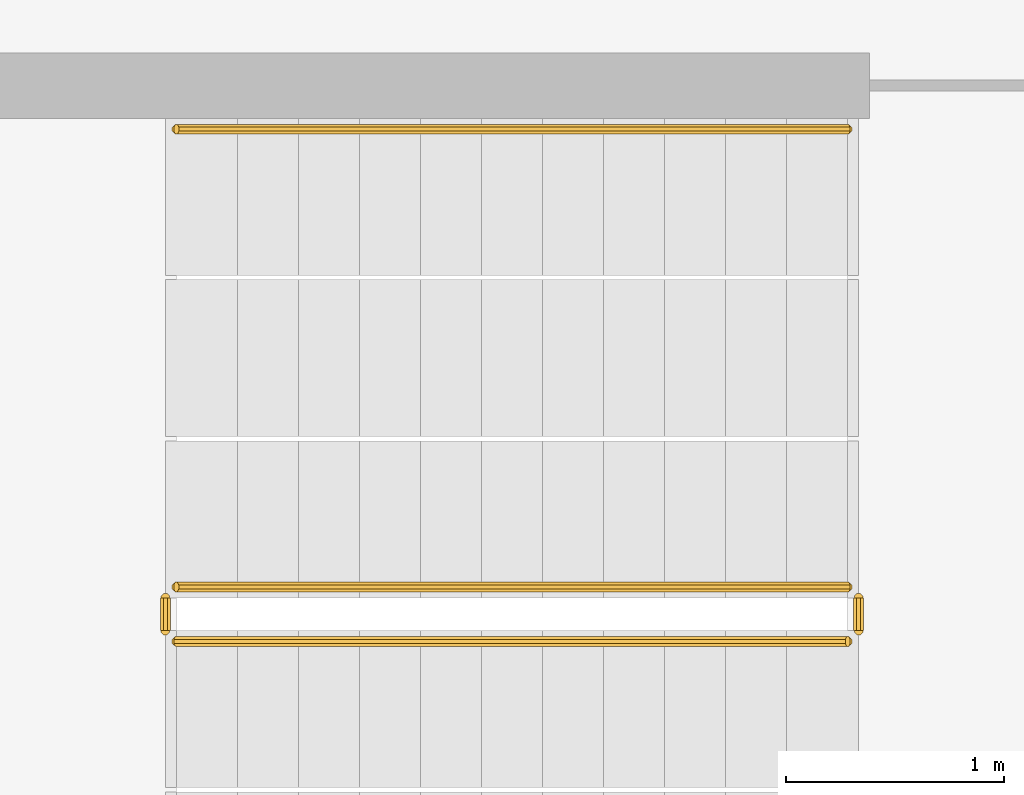
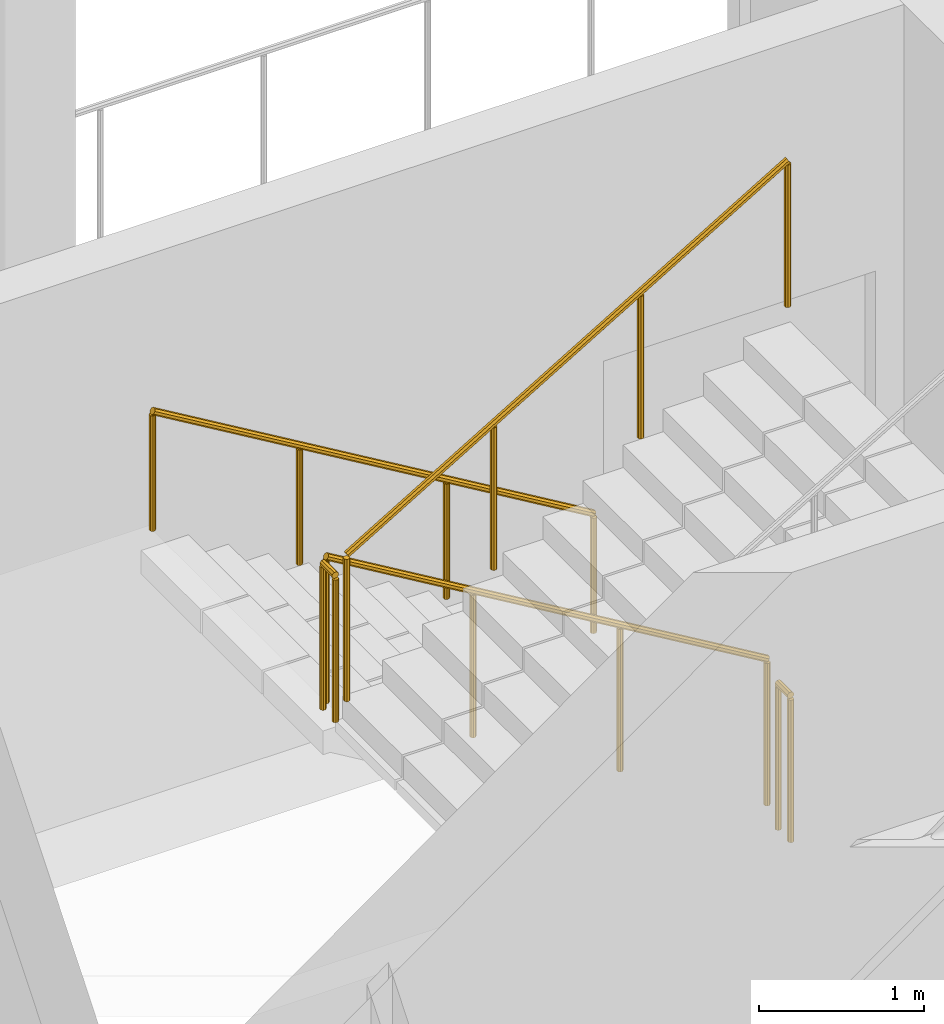
# One storey, part 25 of 34: 5 railings.
"""IFC4 building model written with IfcOpenShell, lengths in metres."""

from ifc_helpers import new_model, si_unit, direction, frame, origin, place, context, subcontext, project, spatial, polyline, outline, extrude, material, type_object, element, save


model = new_model("IFC4")

# Units and contexts
model_context = context("Model", 3, precision=1e-05, world=origin(), true_north=direction((0.0, 1.0)))
body_context = subcontext(model_context, "Body", "Model", "MODEL_VIEW")
ifc_project = project(units=[si_unit("LENGTHUNIT", "METRE"), si_unit("AREAUNIT", "SQUARE_METRE"), si_unit("VOLUMEUNIT", "CUBIC_METRE"), si_unit("PLANEANGLEUNIT", "RADIAN"), si_unit("MASSUNIT", "GRAM", prefix="KILO")], contexts=[model_context])

# Site, building, storey
site_placement = place(None, origin())
site = spatial("IfcSite", under=ifc_project, at=site_placement, CompositionType="ELEMENT")
building_placement = place(site_placement, origin())
building = spatial("IfcBuilding", under=site, at=building_placement, Name="Cormorant Relay Tower", CompositionType="ELEMENT")
storey_placement = place(building_placement, frame((0.0, 0.0, 118.199951171875)))
storey = spatial("IfcBuildingStorey", under=building, at=storey_placement, Name="L23", CompositionType="ELEMENT", Elevation=118.199951171875)

# Railings
ifc_material_1 = material(Name="Steel ASTM A572 Grade 50 (Fy 345 MPa)", Category="steel")
railing_type_1 = type_object("IfcRailingType", Name="Stair guard 1100", PredefinedType="GUARDRAIL", material=ifc_material_1)
railing_1_placement = place(storey_placement, frame((1.60009765625, -18.27490234375, 0.166748046875)))
element("IfcRailing", 1, at=railing_1_placement, inside=storey, type_object=railing_type_1, Name="L23 RK1 stair guard 1", PredefinedType="GUARDRAIL", context=body_context, shape_type="SweptSolid", body=[
    extrude(outline(polyline([(0.022216796875, 0.00927734375), (0.00927734375, 0.022216796875), (-0.00927734375, 0.022216796875), (-0.022216796875, 0.00927734375), (-0.022216796875, -0.00927734375), (-0.00927734375, -0.022216796875), (0.00927734375, -0.022216796875), (0.022216796875, -0.00927734375), (0.022216796875, 0.00927734375)])), frame((0.0, 0.0, 1.076171875), z_axis=(-0.859308565015, 0.0, 0.511457515432), x_axis=(0.0, -1.0, 0.0)), (0.0, 0.0, 1.0), 3.58447265625),
    extrude(outline(polyline([(0.019287109375, 0.008056640625), (0.008056640625, 0.019287109375), (-0.008056640625, 0.019287109375), (-0.019287109375, 0.008056640625), (-0.019287109375, -0.008056640625), (-0.008056640625, -0.019287109375), (0.008056640625, -0.019287109375), (0.019287109375, -0.008056640625), (0.019287109375, 0.008056640625)])), origin(), (0.0, 0.0, 1.0), 1.052001953125),
    extrude(outline(polyline([(0.019287109375, 0.008056640625), (0.008056640625, 0.019287109375), (-0.008056640625, 0.019287109375), (-0.019287109375, 0.008056640625), (-0.019287109375, -0.008056640625), (-0.008056640625, -0.019287109375), (0.008056640625, -0.019287109375), (0.019287109375, -0.008056640625), (0.019287109375, 0.008056640625)])), frame((-1.026611328125, 0.0, 0.611083984375)), (0.0, 0.0, 1.0), 1.052001953125),
    extrude(outline(polyline([(0.019287109375, 0.008056640625), (0.008056640625, 0.019287109375), (-0.008056640625, 0.019287109375), (-0.019287109375, 0.008056640625), (-0.019287109375, -0.008056640625), (-0.008056640625, -0.019287109375), (0.008056640625, -0.019287109375), (0.019287109375, -0.008056640625), (0.019287109375, 0.008056640625)])), frame((-2.053466796875, 0.0, 1.22216796875)), (0.0, 0.0, 1.0), 1.052001953125),
    extrude(outline(polyline([(0.019287109375, 0.008056640625), (0.008056640625, 0.019287109375), (-0.008056640625, 0.019287109375), (-0.019287109375, 0.008056640625), (-0.019287109375, -0.008056640625), (-0.008056640625, -0.019287109375), (0.008056640625, -0.019287109375), (0.019287109375, -0.008056640625), (0.019287109375, 0.008056640625)])), frame((-3.080078125, 0.0, 1.833251953125)), (0.0, 0.0, 1.0), 1.052001953125),
])
railing_2_placement = place(storey_placement, frame((-1.530029296875, -18.324951171875, 2.0)))
element("IfcRailing", 2, at=railing_2_placement, inside=storey, type_object=railing_type_1, Name="L23 RK1 stair guard 2", PredefinedType="GUARDRAIL", context=body_context, shape_type="SweptSolid", body=[
    extrude(outline(polyline([(0.022216796875, 0.00927734375), (0.00927734375, 0.022216796875), (-0.00927734375, 0.022216796875), (-0.022216796875, 0.00927734375), (-0.022216796875, -0.00927734375), (-0.00927734375, -0.022216796875), (0.00927734375, -0.022216796875), (0.022216796875, -0.00927734375), (0.022216796875, 0.00927734375)])), frame((0.0, 0.0, 1.076171875), z_axis=(0.0, -1.0, 0.0), x_axis=(1.0, 0.0, 0.0)), (0.0, 0.0, 1.0), 0.150146484375),
    extrude(outline(polyline([(0.019287109375, 0.008056640625), (0.008056640625, 0.019287109375), (-0.008056640625, 0.019287109375), (-0.019287109375, 0.008056640625), (-0.019287109375, -0.008056640625), (-0.008056640625, -0.019287109375), (0.008056640625, -0.019287109375), (0.019287109375, -0.008056640625), (0.019287109375, 0.008056640625)])), origin(), (0.0, 0.0, 1.0), 1.052001953125),
    extrude(outline(polyline([(0.019287109375, 0.008056640625), (0.008056640625, 0.019287109375), (-0.008056640625, 0.019287109375), (-0.019287109375, 0.008056640625), (-0.019287109375, -0.008056640625), (-0.008056640625, -0.019287109375), (0.008056640625, -0.019287109375), (0.019287109375, -0.008056640625), (0.019287109375, 0.008056640625)])), frame((0.0, -0.150146484375, 0.0)), (0.0, 0.0, 1.0), 1.052001953125),
])
railing_3_placement = place(storey_placement, frame((-1.47998046875, -18.52490234375, 2.166748046875)))
element("IfcRailing", 3, at=railing_3_placement, inside=storey, type_object=railing_type_1, Name="L23 RK1 stair guard 3", PredefinedType="GUARDRAIL", context=body_context, shape_type="SweptSolid", body=[
    extrude(outline(polyline([(0.022216796875, 0.00927734375), (0.00927734375, 0.022216796875), (-0.00927734375, 0.022216796875), (-0.022216796875, 0.00927734375), (-0.022216796875, -0.00927734375), (-0.00927734375, -0.022216796875), (0.00927734375, -0.022216796875), (0.022216796875, -0.00927734375), (0.022216796875, 0.00927734375)])), frame((0.0, 0.0, 1.076171875), z_axis=(0.859308565015, 0.0, 0.511457515432), x_axis=(0.0, 1.0, 0.0)), (0.0, 0.0, 1.0), 3.58447265625),
    extrude(outline(polyline([(0.019287109375, 0.008056640625), (0.008056640625, 0.019287109375), (-0.008056640625, 0.019287109375), (-0.019287109375, 0.008056640625), (-0.019287109375, -0.008056640625), (-0.008056640625, -0.019287109375), (0.008056640625, -0.019287109375), (0.019287109375, -0.008056640625), (0.019287109375, 0.008056640625)])), origin(), (0.0, 0.0, 1.0), 1.052001953125),
    extrude(outline(polyline([(0.019287109375, 0.008056640625), (0.008056640625, 0.019287109375), (-0.008056640625, 0.019287109375), (-0.019287109375, 0.008056640625), (-0.019287109375, -0.008056640625), (-0.008056640625, -0.019287109375), (0.008056640625, -0.019287109375), (0.019287109375, -0.008056640625), (0.019287109375, 0.008056640625)])), frame((1.026611328125, 0.0, 0.611083984375)), (0.0, 0.0, 1.0), 1.052001953125),
    extrude(outline(polyline([(0.019287109375, 0.008056640625), (0.008056640625, 0.019287109375), (-0.008056640625, 0.019287109375), (-0.019287109375, 0.008056640625), (-0.019287109375, -0.008056640625), (-0.008056640625, -0.019287109375), (0.008056640625, -0.019287109375), (0.019287109375, -0.008056640625), (0.019287109375, 0.008056640625)])), frame((2.053466796875, 0.0, 1.22216796875)), (0.0, 0.0, 1.0), 1.052001953125),
    extrude(outline(polyline([(0.019287109375, 0.008056640625), (0.008056640625, 0.019287109375), (-0.008056640625, 0.019287109375), (-0.019287109375, 0.008056640625), (-0.019287109375, -0.008056640625), (-0.008056640625, -0.019287109375), (0.008056640625, -0.019287109375), (0.019287109375, -0.008056640625), (0.019287109375, 0.008056640625)])), frame((3.080078125, 0.0, 1.833251953125)), (0.0, 0.0, 1.0), 1.052001953125),
])
railing_4_placement = place(storey_placement, frame((1.64990234375, -18.324951171875, 0.0)))
element("IfcRailing", 4, at=railing_4_placement, inside=storey, type_object=railing_type_1, Name="L23 RK1 stair guard 4", PredefinedType="GUARDRAIL", context=body_context, shape_type="SweptSolid", body=[
    extrude(outline(polyline([(0.022216796875, 0.00927734375), (0.00927734375, 0.022216796875), (-0.00927734375, 0.022216796875), (-0.022216796875, 0.00927734375), (-0.022216796875, -0.00927734375), (-0.00927734375, -0.022216796875), (0.00927734375, -0.022216796875), (0.022216796875, -0.00927734375), (0.022216796875, 0.00927734375)])), frame((0.0, 0.0, 1.076171875), z_axis=(0.0, -1.0, 0.0), x_axis=(1.0, 0.0, 0.0)), (0.0, 0.0, 1.0), 0.150146484375),
    extrude(outline(polyline([(0.019287109375, 0.008056640625), (0.008056640625, 0.019287109375), (-0.008056640625, 0.019287109375), (-0.019287109375, 0.008056640625), (-0.019287109375, -0.008056640625), (-0.008056640625, -0.019287109375), (0.008056640625, -0.019287109375), (0.019287109375, -0.008056640625), (0.019287109375, 0.008056640625)])), origin(), (0.0, 0.0, 1.0), 1.052001953125),
    extrude(outline(polyline([(0.019287109375, 0.008056640625), (0.008056640625, 0.019287109375), (-0.008056640625, 0.019287109375), (-0.019287109375, 0.008056640625), (-0.019287109375, -0.008056640625), (-0.008056640625, -0.019287109375), (0.008056640625, -0.019287109375), (0.019287109375, -0.008056640625), (0.019287109375, 0.008056640625)])), frame((0.0, -0.150146484375, 0.0)), (0.0, 0.0, 1.0), 1.052001953125),
])
ifc_material_2 = material(Name="Steel ASTM A572 Grade 50 (Fy 345 MPa)", Category="steel")
railing_type_2 = type_object("IfcRailingType", Name="Stair handrail 900", PredefinedType="HANDRAIL", material=ifc_material_2)
railing_5_placement = place(storey_placement, frame((1.60009765625, -16.175048828125, 0.166748046875)))
element("IfcRailing", 5, at=railing_5_placement, inside=storey, type_object=railing_type_2, Name="L23 RK1 stair handrail 1", PredefinedType="HANDRAIL", context=body_context, shape_type="SweptSolid", body=[
    extrude(outline(polyline([(0.022216796875, 0.00927734375), (0.00927734375, 0.022216796875), (-0.00927734375, 0.022216796875), (-0.022216796875, 0.00927734375), (-0.022216796875, -0.00927734375), (-0.00927734375, -0.022216796875), (0.00927734375, -0.022216796875), (0.022216796875, -0.00927734375), (0.022216796875, 0.00927734375)])), frame((0.0, 0.0, 0.8759765625), z_axis=(-0.859308565015, 0.0, 0.511457515432), x_axis=(0.0, -1.0, 0.0)), (0.0, 0.0, 1.0), 3.58447265625),
    extrude(outline(polyline([(0.019287109375, 0.008056640625), (0.008056640625, 0.019287109375), (-0.008056640625, 0.019287109375), (-0.019287109375, 0.008056640625), (-0.019287109375, -0.008056640625), (-0.008056640625, -0.019287109375), (0.008056640625, -0.019287109375), (0.019287109375, -0.008056640625), (0.019287109375, 0.008056640625)])), origin(), (0.0, 0.0, 1.0), 0.851806640625),
    extrude(outline(polyline([(0.019287109375, 0.008056640625), (0.008056640625, 0.019287109375), (-0.008056640625, 0.019287109375), (-0.019287109375, 0.008056640625), (-0.019287109375, -0.008056640625), (-0.008056640625, -0.019287109375), (0.008056640625, -0.019287109375), (0.019287109375, -0.008056640625), (0.019287109375, 0.008056640625)])), frame((-1.026611328125, 0.0, 0.611083984375)), (0.0, 0.0, 1.0), 0.851806640625),
    extrude(outline(polyline([(0.019287109375, 0.008056640625), (0.008056640625, 0.019287109375), (-0.008056640625, 0.019287109375), (-0.019287109375, 0.008056640625), (-0.019287109375, -0.008056640625), (-0.008056640625, -0.019287109375), (0.008056640625, -0.019287109375), (0.019287109375, -0.008056640625), (0.019287109375, 0.008056640625)])), frame((-2.053466796875, 0.0, 1.22216796875)), (0.0, 0.0, 1.0), 0.851806640625),
    extrude(outline(polyline([(0.019287109375, 0.008056640625), (0.008056640625, 0.019287109375), (-0.008056640625, 0.019287109375), (-0.019287109375, 0.008056640625), (-0.019287109375, -0.008056640625), (-0.008056640625, -0.019287109375), (0.008056640625, -0.019287109375), (0.019287109375, -0.008056640625), (0.019287109375, 0.008056640625)])), frame((-3.080078125, 0.0, 1.833251953125)), (0.0, 0.0, 1.0), 0.851806640625),
])

save(model, "model.ifc")
